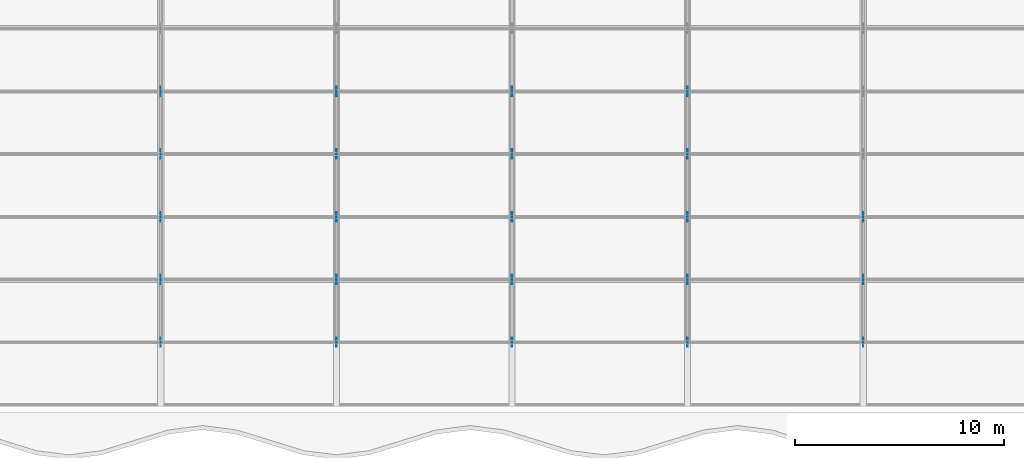
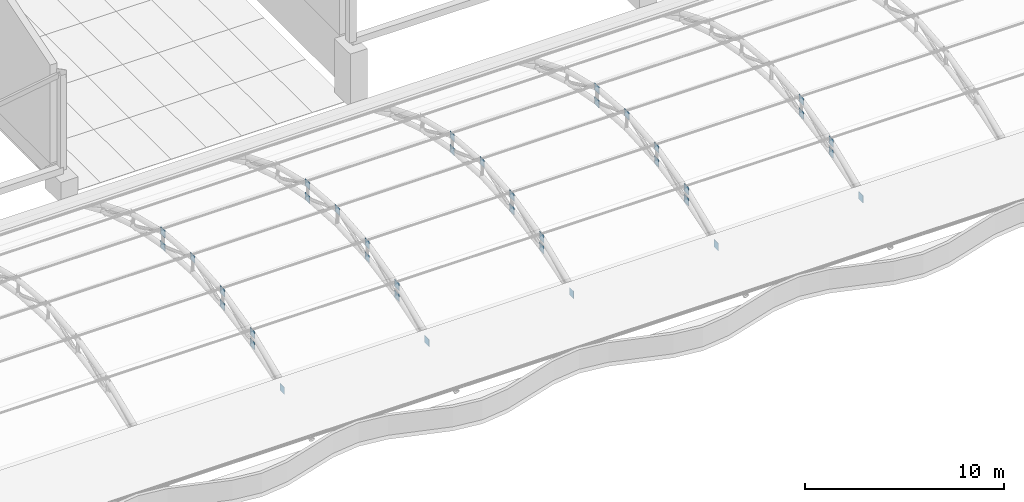
# One storey, part 136 of 163: 37 discrete accessories.
"""IFC4 building model written with IfcOpenShell, lengths in metres."""

import ifcopenshell
import ifcopenshell.guid

model = None  # the IFC model being written
_history = None  # IfcOwnerHistory: only IFC2X3 demands one
_inside = {}  # id of a spatial element -> (the spatial element, [elements in it])
_under = {}  # id of a project, library or spatial element -> (it, [spatial elements below it])
_declared = {}  # id of a project -> (the project, [libraries it declares])
_typed = {}  # id of a type object -> (the type object, [elements of that type])
_made_of = {}  # id of a material, layer set ... -> (it, [elements and type objects made of it])


def new_model(schema):
    """Start an empty IFC model of exactly this schema.

    Asked for "IFC4X3", IfcOpenShell would pick the latest addendum, in which some entities
    have other attributes; the version numbers below select the first issue.
    IFC2X3 requires an IfcOwnerHistory on every rooted entity: one is made here for all.
    """
    global model, _history
    if schema == "IFC4X3":
        model = ifcopenshell.file(schema_version=(4, 3, 0, 0))
    else:
        model = ifcopenshell.file(schema=schema)
    _inside.clear()
    _under.clear()
    _declared.clear()
    _typed.clear()
    _made_of.clear()
    _history = None
    if model.schema == "IFC2X3":
        org = make("IfcOrganization", Name="unknown")
        user = make(
            "IfcPersonAndOrganization",
            ThePerson=make("IfcPerson", FamilyName="unknown"),
            TheOrganization=org,
        )
        app = make(
            "IfcApplication",
            ApplicationDeveloper=org,
            Version="unknown",
            ApplicationFullName="unknown",
            ApplicationIdentifier="unknown",
        )
        _history = make(
            "IfcOwnerHistory",
            OwningUser=user,
            OwningApplication=app,
            ChangeAction="ADDED",
            CreationDate=0,
        )
    return model


def make(cls, **values):
    """One entity of the class cls with the attributes given. An attribute that is None is left unset."""
    return model.create_entity(
        cls, **{name: value for name, value in values.items() if value is not None}
    )


def rooted(cls, **values):
    """An entity with a GlobalId (a new one), such as an element, a storey or a relation."""
    return make(cls, GlobalId=ifcopenshell.guid.new(), OwnerHistory=_history, **values)


def si_unit(unit_type, name, prefix=None):
    """IfcSIUnit, for example si_unit("LENGTHUNIT", "METRE", prefix="MILLI")."""
    return make("IfcSIUnit", UnitType=unit_type, Prefix=prefix, Name=name)


def assignment(units):
    """IfcUnitAssignment: the units of a project."""
    return None if units is None else make("IfcUnitAssignment", Units=units)


def point(xyz):
    """IfcCartesianPoint."""
    return None if xyz is None else make("IfcCartesianPoint", Coordinates=xyz)


def direction(xyz):
    """IfcDirection."""
    return None if xyz is None else make("IfcDirection", DirectionRatios=xyz)


def frame(location, z_axis=None, x_axis=None):
    """IfcAxis2Placement3D, a coordinate frame: its origin and axes. An axis left out is left unset."""
    return make(
        "IfcAxis2Placement3D",
        Location=point(location),
        Axis=direction(z_axis),
        RefDirection=direction(x_axis),
    )


def frame_2d(location, x_axis=None):
    """IfcAxis2Placement2D, a coordinate frame in the plane: its origin and x axis."""
    return make(
        "IfcAxis2Placement2D", Location=point(location), RefDirection=direction(x_axis)
    )


def origin():
    """The frame at (0, 0, 0) with its axes left unset."""
    return frame((0.0, 0.0, 0.0))


def origin_2d():
    """The frame at (0, 0) in the plane with its x axis left unset."""
    return frame_2d((0.0, 0.0))


def place(relative_to, where):
    """IfcLocalPlacement: puts the frame where relative to a parent placement (None: the world)."""
    return make(
        "IfcLocalPlacement", PlacementRelTo=relative_to, RelativePlacement=where
    )


def context(
    kind, dimensions, precision=None, world=None, true_north=None, identifier=None
):
    """IfcGeometricRepresentationContext, for example the 3D "Model" context."""
    return make(
        "IfcGeometricRepresentationContext",
        ContextIdentifier=identifier,
        ContextType=kind,
        CoordinateSpaceDimension=dimensions,
        Precision=precision,
        WorldCoordinateSystem=world,
        TrueNorth=true_north,
    )


def subcontext(parent, identifier, kind, view, scale=None):
    """IfcGeometricRepresentationSubContext, for example "Body" below "Model"."""
    return make(
        "IfcGeometricRepresentationSubContext",
        ContextIdentifier=identifier,
        ContextType=kind,
        ParentContext=parent,
        TargetScale=scale,
        TargetView=view,
    )


def project(units=None, contexts=None):
    """IfcProject with its units and contexts."""
    return rooted(
        "IfcProject",
        Name="project",
        RepresentationContexts=contexts,
        UnitsInContext=assignment(units),
    )


def spatial(cls, under=None, at=None, **own):
    """A site, building, storey or space (cls), placed at a placement, below another one or the project."""
    s = rooted(cls, ObjectPlacement=at, **own)
    if under is not None:
        _under.setdefault(under.id(), (under, []))[1].append(s)
    return s


def profile(cls, at=None, kind="AREA", **sizes):
    """A parametric profile (cls). Its sizes go by their IFC names, for example OverallWidth=200.0."""
    return make(cls, ProfileType=kind, Position=at, **sizes)


def rectangle(**sizes):
    """IfcRectangleProfileDef."""
    return profile("IfcRectangleProfileDef", **sizes)


def extrude(swept, where, along, depth):
    """IfcExtrudedAreaSolid: the profile swept, set in the frame where, extruded along a direction by depth."""
    return make(
        "IfcExtrudedAreaSolid",
        SweptArea=swept,
        Position=where,
        ExtrudedDirection=direction(along),
        Depth=depth,
    )


def shape(context_of_items, identifier, shape_type, items):
    """IfcShapeRepresentation: the items that make up one representation, for example the "Body"."""
    return make(
        "IfcShapeRepresentation",
        ContextOfItems=context_of_items,
        RepresentationIdentifier=identifier,
        RepresentationType=shape_type,
        Items=items,
    )


def material(Name=None, Category=None):
    """IfcMaterial."""
    return make("IfcMaterial", Name=Name, Category=Category)


def layer(
    of_material, thickness, ventilated=None, Name=None, Category=None, Priority=None
):
    """IfcMaterialLayer: one layer of a wall or slab, of a material (None: an air gap)."""
    return make(
        "IfcMaterialLayer",
        Material=of_material,
        LayerThickness=thickness,
        IsVentilated=ventilated,
        Name=Name,
        Category=Category,
        Priority=Priority,
    )


def layer_set(layers, Name=None):
    """IfcMaterialLayerSet."""
    return make("IfcMaterialLayerSet", MaterialLayers=layers, LayerSetName=Name)


def made_of(thing, what):
    """Note that an element or type object is made of a material, layer set ...; save() writes the relation."""
    if what is not None:
        _made_of.setdefault(what.id(), (what, []))[1].append(thing)
    return thing


def type_object(cls, material=None, **own):
    """A type object (cls), such as IfcWallType, which elements share."""
    return made_of(rooted(cls, **own), material)


def element(
    cls,
    number,
    at=None,
    inside=None,
    cuts=None,
    type_object=None,
    material=None,
    context=None,
    identifier="Body",
    shape_type=None,
    held_by="IfcProductDefinitionShape",
    body=None,
    shapes=None,
    **own,
):
    """One element of the class cls, such as IfcWall. Its Tag is "e" and its number.

    at: its placement. inside: the storey or other place that contains it. cuts: it is an
    opening in that element (IfcRelVoidsElement). A single representation is given by context,
    identifier, shape_type and body (its items); several are given by shapes. held_by: the class
    of the entity that holds the representations. save() writes the other relations.
    """
    e = rooted(cls, Tag="e%d" % number, ObjectPlacement=at, **own)
    if body is not None:
        shapes = [shape(context, identifier, shape_type, body)]
    if shapes is not None:
        e.Representation = make(held_by, Representations=shapes)
    if inside is not None:
        _inside.setdefault(inside.id(), (inside, []))[1].append(e)
    if cuts is not None:
        rooted(
            "IfcRelVoidsElement", RelatingBuildingElement=cuts, RelatedOpeningElement=e
        )
    if type_object is not None:
        _typed.setdefault(type_object.id(), (type_object, []))[1].append(e)
    return made_of(e, material)


def aggregate(whole, parts):
    """IfcRelAggregates: a whole, such as a stair, and the parts it consists of."""
    return rooted("IfcRelAggregates", RelatingObject=whole, RelatedObjects=parts)


def save(model, path):
    """Write the relations noted so far, then the file.

    IfcRelAggregates (storeys below a building ...), IfcRelContainedInSpatialStructure (elements
    in a storey), IfcRelDefinesByType, IfcRelAssociatesMaterial and IfcRelDeclares: one each for
    every whole, place, type object, material and project.
    """
    for whole, parts in _under.values():
        aggregate(whole, parts)
    for where, things in _inside.values():
        rooted(
            "IfcRelContainedInSpatialStructure",
            RelatedElements=things,
            RelatingStructure=where,
        )
    for kind, things in _typed.values():
        rooted("IfcRelDefinesByType", RelatedObjects=things, RelatingType=kind)
    for what, things in _made_of.values():
        rooted("IfcRelAssociatesMaterial", RelatedObjects=things, RelatingMaterial=what)
    for by, libraries in _declared.values():
        rooted("IfcRelDeclares", RelatingContext=by, RelatedDefinitions=libraries)
    model.write(path)


model = new_model("IFC4")

# Units and contexts
model_context = context("Model", 3, precision=1e-05, world=origin(), true_north=direction((0.0, 1.0)))
body_context = subcontext(model_context, "Body", "Model", "MODEL_VIEW")
ifc_project = project(units=[si_unit("LENGTHUNIT", "METRE"), si_unit("AREAUNIT", "SQUARE_METRE"), si_unit("VOLUMEUNIT", "CUBIC_METRE"), si_unit("PLANEANGLEUNIT", "RADIAN"), si_unit("MASSUNIT", "GRAM", prefix="KILO")], contexts=[model_context])

# Site, building, storey
site_placement = place(None, origin())
site = spatial("IfcSite", under=ifc_project, at=site_placement, CompositionType="ELEMENT")
building_placement = place(site_placement, origin())
building = spatial("IfcBuilding", under=site, at=building_placement, Name="Rain Tree Exposition and Congress Centre", CompositionType="ELEMENT")
storey_placement = place(building_placement, frame((0.0, 0.0, 10.5)))
storey = spatial("IfcBuildingStorey", under=building, at=storey_placement, Name="L02", CompositionType="ELEMENT", Elevation=10.5)

# Discrete accessories
ifc_material = material(Name="Steel plate S355J2", Category="steel")
ifc_layer = layer(ifc_material, 0.02001953125)
ifc_layer_set = layer_set([ifc_layer], Name="Steel plate S355J2")
discrete_accessory_type = type_object("IfcDiscreteAccessoryType", Name="Brace node plate 450x450x20", PredefinedType="BRACKET", material=ifc_layer_set)
for number, where, z_axis, x_axis, name in (
    (1, (126.0, 78.60009765625, 1.21728515625), (0.0, 0.0, 1.0), (0.0, 1.0, 0.0), "Brace node plate 450"),
    (2, (126.0, 81.60009765625, 2.830078125), (0.0, 0.0, 1.0), (0.0, -1.0, 0.0), "Brace node plate 450"),
    (3, (126.0, 81.60009765625, 2.15478515625), (0.0, 0.0, 1.0), (0.0, 1.0, 0.0), "Brace node plate 450"),
    (4, (126.0, 84.60009765625, 3.5615234375), (0.0, 0.0, 1.0), (0.0, -1.0, 0.0), "Brace node plate 450"),
    (5, (126.0, 84.60009765625, 2.71728515625), (0.0, 0.0, 1.0), (0.0, 1.0, 0.0), "Brace node plate 450"),
    (6, (126.0, 87.60009765625, 3.80517578125), (0.0, 0.0, 1.0), (0.0, 1.0, 0.0), "Brace node plate 450"),
    (7, (126.0, 90.60009765625, 2.71728515625), (0.0, 0.0, 1.0), (0.0, -1.0, 0.0), "Brace node plate 450"),
    (8, (126.0, 90.60009765625, 3.5615234375), (0.0, 0.0, 1.0), (0.0, 1.0, 0.0), "Brace node plate 450"),
    (9, (134.39990234375, 78.60009765625, 1.21728515625), (0.0, 0.0, 1.0), (0.0, 1.0, 0.0), "Brace node plate 450"),
    (10, (134.39990234375, 81.60009765625, 2.830078125), (0.0, 0.0, 1.0), (0.0, -1.0, 0.0), "Brace node plate 450"),
    (11, (134.39990234375, 81.60009765625, 2.15478515625), (0.0, 0.0, 1.0), (0.0, 1.0, 0.0), "Brace node plate 450"),
    (12, (134.39990234375, 84.60009765625, 3.5615234375), (0.0, 0.0, 1.0), (0.0, -1.0, 0.0), "Brace node plate 450"),
    (13, (134.39990234375, 84.60009765625, 2.71728515625), (0.0, 0.0, 1.0), (0.0, 1.0, 0.0), "Brace node plate 450"),
    (14, (134.39990234375, 87.60009765625, 3.80517578125), (0.0, 0.0, 1.0), (0.0, 1.0, 0.0), "Brace node plate 450"),
    (15, (134.39990234375, 90.60009765625, 2.71728515625), (0.0, 0.0, 1.0), (0.0, -1.0, 0.0), "Brace node plate 450"),
    (16, (134.39990234375, 90.60009765625, 3.5615234375), (0.0, 0.0, 1.0), (0.0, 1.0, 0.0), "Brace node plate 450"),
    (17, (142.800048828125, 78.60009765625, 1.21728515625), (0.0, 0.0, 1.0), (0.0, 1.0, 0.0), "Brace node plate 450"),
    (18, (142.800048828125, 81.60009765625, 2.830078125), (0.0, 0.0, 1.0), (0.0, -1.0, 0.0), "Brace node plate 450"),
    (19, (142.800048828125, 81.60009765625, 2.15478515625), (0.0, 0.0, 1.0), (0.0, 1.0, 0.0), "Brace node plate 450"),
    (20, (142.800048828125, 84.60009765625, 3.5615234375), (0.0, 0.0, 1.0), (0.0, -1.0, 0.0), "Brace node plate 450"),
    (21, (142.800048828125, 84.60009765625, 2.71728515625), (0.0, 0.0, 1.0), (0.0, 1.0, 0.0), "Brace node plate 450"),
    (22, (142.800048828125, 87.60009765625, 3.80517578125), (0.0, 0.0, 1.0), (0.0, 1.0, 0.0), "Brace node plate 450"),
    (23, (142.800048828125, 90.60009765625, 2.71728515625), (0.0, 0.0, 1.0), (0.0, -1.0, 0.0), "Brace node plate 450"),
    (24, (142.800048828125, 90.60009765625, 3.5615234375), (0.0, 0.0, 1.0), (0.0, 1.0, 0.0), "Brace node plate 450"),
    (25, (151.199951171875, 78.60009765625, 1.21728515625), (0.0, 0.0, 1.0), (0.0, 1.0, 0.0), "Brace node plate 450"),
    (26, (151.199951171875, 81.60009765625, 2.830078125), (0.0, 0.0, 1.0), (0.0, -1.0, 0.0), "Brace node plate 450"),
    (27, (151.199951171875, 81.60009765625, 2.15478515625), (0.0, 0.0, 1.0), (0.0, 1.0, 0.0), "Brace node plate 450"),
    (28, (151.199951171875, 84.60009765625, 3.5615234375), (0.0, 0.0, 1.0), (0.0, -1.0, 0.0), "Brace node plate 450"),
    (29, (151.199951171875, 84.60009765625, 2.71728515625), (0.0, 0.0, 1.0), (0.0, 1.0, 0.0), "Brace node plate 450"),
    (30, (151.199951171875, 87.60009765625, 3.80517578125), (0.0, 0.0, 1.0), (0.0, 1.0, 0.0), "Brace node plate 450"),
    (31, (151.199951171875, 90.60009765625, 2.71728515625), (0.0, 0.0, 1.0), (0.0, -1.0, 0.0), "Brace node plate 450"),
    (32, (151.199951171875, 90.60009765625, 3.5615234375), (0.0, 0.0, 1.0), (0.0, 1.0, 0.0), "Brace node plate 450"),
    (33, (159.60009765625, 78.60009765625, 1.21728515625), (0.0, 0.0, 1.0), (0.0, 1.0, 0.0), "Brace node plate 450"),
    (34, (159.60009765625, 81.60009765625, 2.830078125), (0.0, 0.0, 1.0), (0.0, -1.0, 0.0), "Brace node plate 450"),
    (35, (159.60009765625, 81.60009765625, 2.15478515625), (0.0, 0.0, 1.0), (0.0, 1.0, 0.0), "Brace node plate 450"),
    (36, (159.60009765625, 84.60009765625, 3.5615234375), (0.0, 0.0, 1.0), (0.0, -1.0, 0.0), "Brace node plate 450"),
    (37, (159.60009765625, 84.60009765625, 2.71728515625), (0.0, 0.0, 1.0), (0.0, 1.0, 0.0), "Brace node plate 450"),
):
    element("IfcDiscreteAccessory", number, at=place(storey_placement, frame(where, z_axis=z_axis, x_axis=x_axis)), inside=storey, type_object=discrete_accessory_type, Name=name, PredefinedType="BRACKET", context=body_context, shape_type="SweptSolid", body=[
        extrude(rectangle(XDim=0.449951171875, YDim=0.02001953125, at=origin_2d()), origin(), (0.0, 0.0, 1.0), 0.449951171875),
    ])

save(model, "model.ifc")
